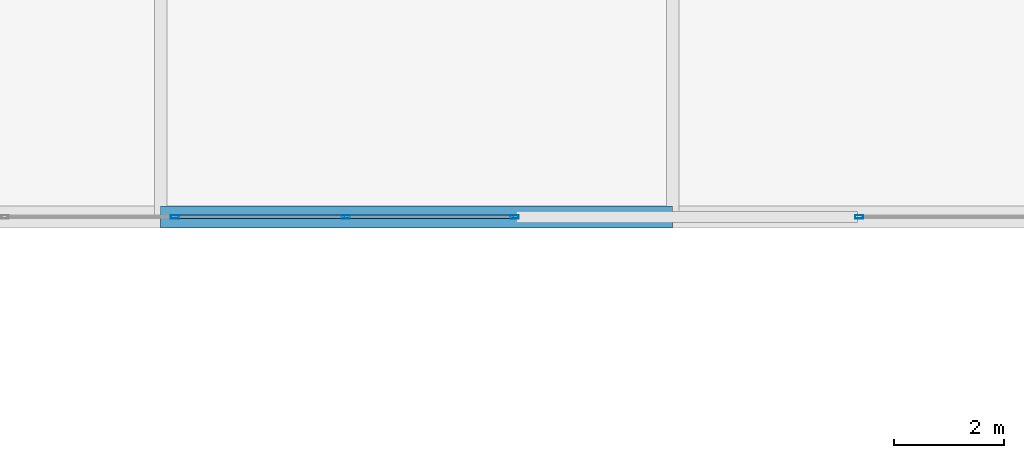
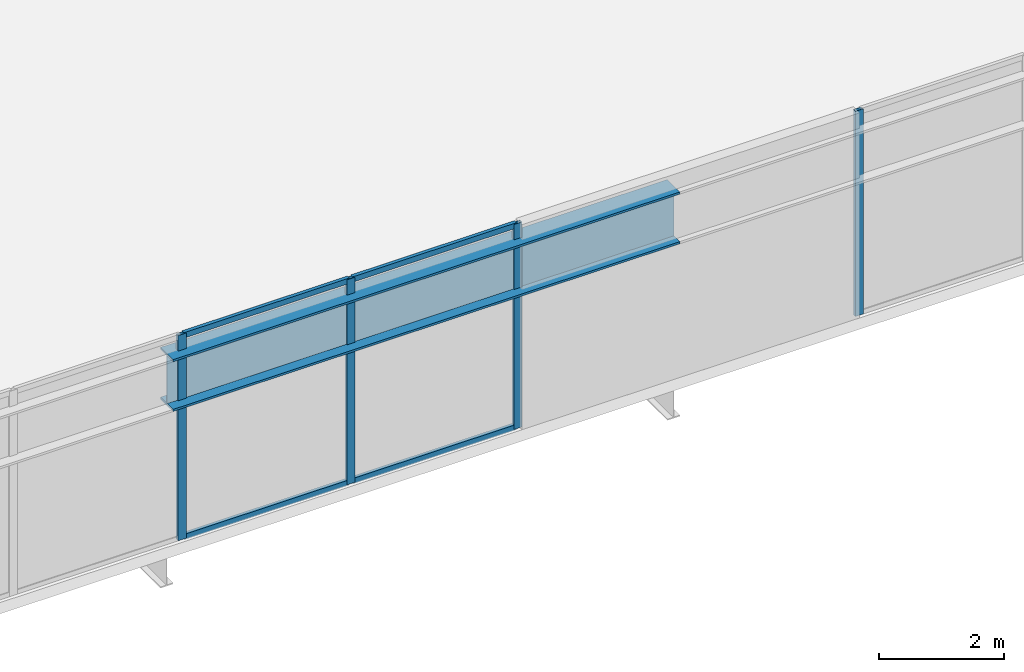
# One storey, part 20 of 51: 8 members, 1 beam, 2 elements without a shape of their own.
"""IFC4 building model written with IfcOpenShell, lengths in metres."""

from ifc_helpers import new_model, si_unit, direction, frame, origin, origin_2d, place, context, subcontext, project, spatial, hollow_rectangle, i_section, extrude, material, material_profile, profile_set, type_object, element, aggregate, save


model = new_model("IFC4")

# Units and contexts
model_context = context("Model", 3, precision=1e-05, world=origin(), true_north=direction((0.0, 1.0)))
body_context = subcontext(model_context, "Body", "Model", "MODEL_VIEW")
ifc_project = project(units=[si_unit("LENGTHUNIT", "METRE"), si_unit("AREAUNIT", "SQUARE_METRE"), si_unit("VOLUMEUNIT", "CUBIC_METRE"), si_unit("PLANEANGLEUNIT", "RADIAN"), si_unit("MASSUNIT", "GRAM", prefix="KILO")], contexts=[model_context])

# Site, building, storey
site_placement = place(None, origin())
site = spatial("IfcSite", under=ifc_project, at=site_placement, CompositionType="ELEMENT")
building_placement = place(site_placement, origin())
building = spatial("IfcBuilding", under=site, at=building_placement, Name="Tashvorn Skyway Center", CompositionType="ELEMENT")
storey_placement = place(building_placement, frame((0.0, 0.0, 259.39990234375)))
storey = spatial("IfcBuildingStorey", under=building, at=storey_placement, Name="L70", CompositionType="ELEMENT", Elevation=259.39990234375)

# Beam
ifc_material_1 = material(Name="Steel ASTM A913 Grade 65", Category="steel")
ifc_material_profile_1 = material_profile(ifc_material_1, i_section(OverallWidth=0.40087890625, OverallDepth=1.010986328125, WebThickness=0.023681640625, FlangeThickness=0.0419921875, at=origin_2d()), Name="W40X297")
ifc_profile_set_1 = profile_set([ifc_material_profile_1], Name="Steel ASTM A913 Grade 65")
beam_type = type_object("IfcBeamType", Name="BM-BEAM-W40X297", PredefinedType="BEAM", material=ifc_profile_set_1)
beam_placement = place(storey_placement, frame((66.39990234375, 24.10009765625, 3.194580078125), z_axis=(1.0, 0.0, 0.0), x_axis=(0.0, 1.0, 0.0)))
element("IfcBeam", 1, at=beam_placement, inside=storey, type_object=beam_type, Name="Sky-Park Truss 1 Top Chord Panel 07", PredefinedType="BEAM", context=body_context, shape_type="SweptSolid", body=[
    extrude(i_section(OverallWidth=0.40087890625, OverallDepth=1.010986328125, WebThickness=0.023681640625, FlangeThickness=0.0419921875, at=origin_2d()), origin(), (0.0, 0.0, 1.0), 9.35009765625),
])

# Curtain wall, member
ifc_material_2 = material(Name="Thermally broken bronze-anodized aluminium 6063-T6", Category="aluminium")
curtain_wall_type = type_object("IfcCurtainWallType", Name="CW-CW-SKY", PredefinedType="NOTDEFINED", material=ifc_material_2)
curtain_wall_1_placement = place(storey_placement, origin())
curtain_wall_1 = element("IfcCurtainWall", 2, at=curtain_wall_1_placement, inside=storey, type_object=curtain_wall_type, Name="Sky-Park L70 Bridge South Curtain Wall Glazing Group 1", PredefinedType="NOTDEFINED")
ifc_material_profile_2 = material_profile(ifc_material_2, hollow_rectangle(XDim=0.06494140625, YDim=0.14990234375, WallThickness=0.00390625, at=origin_2d()), Name="ALU-MULL-65x150")
ifc_profile_set_2 = profile_set([ifc_material_profile_2], Name="Thermally broken bronze-anodized aluminium 6063-T6")
member_type_1 = type_object("IfcMemberType", Name="CWM-CW-SKY", PredefinedType="MULLION", material=ifc_profile_set_2)
member_1_placement = place(storey_placement, frame((79.157470703125, 24.10009765625, 0.0), z_axis=(0.0, 0.0, 1.0), x_axis=(0.0, -1.0, 0.0)))
member_1 = element("IfcMember", 3, at=member_1_placement, type_object=member_type_1, Name="CW-SKY mullion 4", PredefinedType="MULLION", context=body_context, shape_type="SweptSolid", body=[
    extrude(hollow_rectangle(XDim=0.06494140625, YDim=0.14990234375, WallThickness=0.00390625, at=origin_2d()), origin(), (0.0, 0.0, 1.0), 4.0),
])
aggregate(curtain_wall_1, [member_1])

# Curtain wall, members
curtain_wall_2_placement = place(storey_placement, origin())
curtain_wall_2 = element("IfcCurtainWall", 4, at=curtain_wall_2_placement, inside=storey, type_object=curtain_wall_type, Name="Sky-Park L70 Bridge South Curtain Wall Glazing Group 2", PredefinedType="NOTDEFINED")
member_2_placement = place(storey_placement, frame((72.862548828125, 24.10009765625, 0.0), z_axis=(0.0, 0.0, 1.0), x_axis=(0.0, -1.0, 0.0)))
member_2 = element("IfcMember", 5, at=member_2_placement, type_object=member_type_1, Name="CW-SKY mullion 1", PredefinedType="MULLION", context=body_context, shape_type="SweptSolid", body=[
    extrude(hollow_rectangle(XDim=0.06494140625, YDim=0.14990234375, WallThickness=0.00390625, at=origin_2d()), origin(), (0.0, 0.0, 1.0), 4.0),
])
member_3_placement = place(storey_placement, frame((69.780029296875, 24.10009765625, 0.0), z_axis=(0.0, 0.0, 1.0), x_axis=(0.0, -1.0, 0.0)))
member_3 = element("IfcMember", 6, at=member_3_placement, type_object=member_type_1, Name="CW-SKY mullion 2", PredefinedType="MULLION", context=body_context, shape_type="SweptSolid", body=[
    extrude(hollow_rectangle(XDim=0.06494140625, YDim=0.14990234375, WallThickness=0.00390625, at=origin_2d()), origin(), (0.0, 0.0, 1.0), 4.0),
])
member_4_placement = place(storey_placement, frame((66.6650390625, 24.10009765625, 0.0), z_axis=(0.0, 0.0, 1.0), x_axis=(0.0, -1.0, 0.0)))
member_4 = element("IfcMember", 7, at=member_4_placement, type_object=member_type_1, Name="CW-SKY mullion 3", PredefinedType="MULLION", context=body_context, shape_type="SweptSolid", body=[
    extrude(hollow_rectangle(XDim=0.06494140625, YDim=0.14990234375, WallThickness=0.00390625, at=origin_2d()), origin(), (0.0, 0.0, 1.0), 4.0),
])
ifc_material_profile_3 = material_profile(ifc_material_2, hollow_rectangle(XDim=0.06494140625, YDim=0.10498046875, WallThickness=0.00390625, at=origin_2d()), Name="ALU-TRAN-65x105")
ifc_profile_set_3 = profile_set([ifc_material_profile_3], Name="Thermally broken bronze-anodized aluminium 6063-T6")
member_type_2 = type_object("IfcMemberType", Name="CWT-CW-SKY", PredefinedType="USERDEFINED", material=ifc_profile_set_3)
member_5_placement = place(storey_placement, frame((72.830078125, 24.10009765625, 0.03271484375), z_axis=(-1.0, 0.0, 0.0), x_axis=(0.0, -1.0, 0.0)))
member_5 = element("IfcMember", 8, at=member_5_placement, type_object=member_type_2, Name="CW-SKY transom 1.1", ObjectType="TRANSOM", PredefinedType="USERDEFINED", context=body_context, shape_type="SweptSolid", body=[
    extrude(hollow_rectangle(XDim=0.06494140625, YDim=0.10498046875, WallThickness=0.00390625, at=origin_2d()), origin(), (0.0, 0.0, 1.0), 3.017578125),
])
member_6_placement = place(storey_placement, frame((72.830078125, 24.10009765625, 3.967529296875), z_axis=(-1.0, 0.0, 0.0), x_axis=(0.0, -1.0, 0.0)))
member_6 = element("IfcMember", 9, at=member_6_placement, type_object=member_type_2, Name="CW-SKY transom 1.2", ObjectType="TRANSOM", PredefinedType="USERDEFINED", context=body_context, shape_type="SweptSolid", body=[
    extrude(hollow_rectangle(XDim=0.06494140625, YDim=0.10498046875, WallThickness=0.00390625, at=origin_2d()), origin(), (0.0, 0.0, 1.0), 3.017578125),
])
member_7_placement = place(storey_placement, frame((69.74755859375, 24.10009765625, 0.03271484375), z_axis=(-1.0, 0.0, 0.0), x_axis=(0.0, -1.0, 0.0)))
member_7 = element("IfcMember", 10, at=member_7_placement, type_object=member_type_2, Name="CW-SKY transom 2.1", ObjectType="TRANSOM", PredefinedType="USERDEFINED", context=body_context, shape_type="SweptSolid", body=[
    extrude(hollow_rectangle(XDim=0.06494140625, YDim=0.10498046875, WallThickness=0.00390625, at=origin_2d()), origin(), (0.0, 0.0, 1.0), 3.050048828125),
])
member_8_placement = place(storey_placement, frame((69.74755859375, 24.10009765625, 3.967529296875), z_axis=(-1.0, 0.0, 0.0), x_axis=(0.0, -1.0, 0.0)))
member_8 = element("IfcMember", 11, at=member_8_placement, type_object=member_type_2, Name="CW-SKY transom 2.2", ObjectType="TRANSOM", PredefinedType="USERDEFINED", context=body_context, shape_type="SweptSolid", body=[
    extrude(hollow_rectangle(XDim=0.06494140625, YDim=0.10498046875, WallThickness=0.00390625, at=origin_2d()), origin(), (0.0, 0.0, 1.0), 3.050048828125),
])
aggregate(curtain_wall_2, [member_2, member_3, member_4, member_5, member_6, member_7, member_8])

save(model, "model.ifc")
